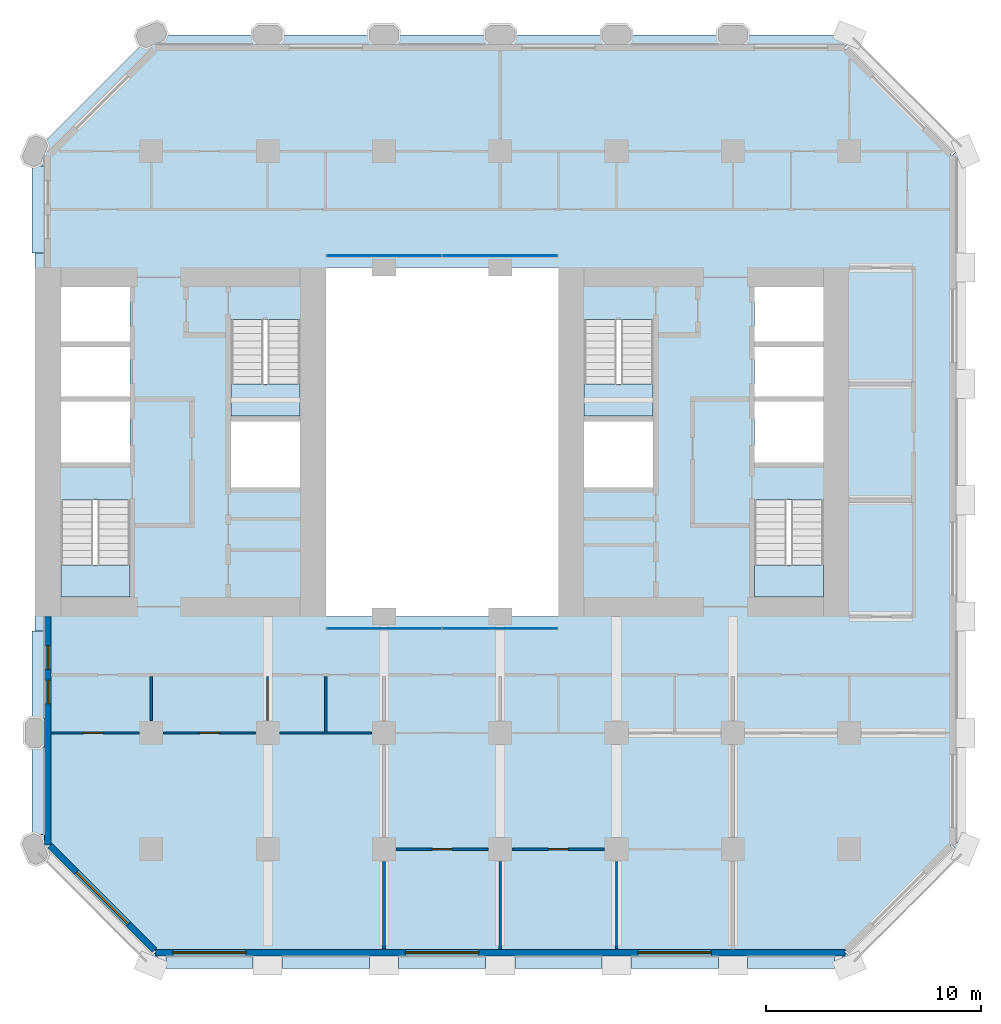
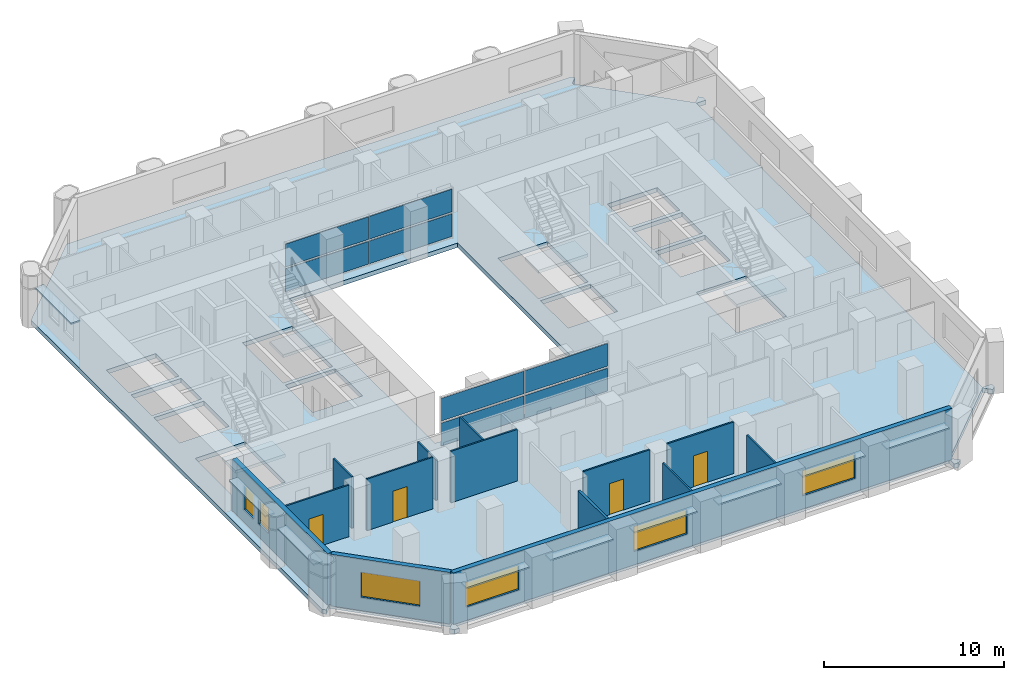
# One storey, part 7 of 13: 17 plates, 14 walls, 6 windows, 5 slabs, 4 doors, 10 openings, 6 elements without a shape of their own.
"""IFC4 building model written with IfcOpenShell, lengths in metres."""

from ifc_helpers import new_model, si_unit, direction, frame, frame_2d, origin, origin_2d, place, context, subcontext, project, spatial, polyline, rectangle, outline, extrude, material, layer, layer_set, type_object, element, fill, aggregate, save


model = new_model("IFC4")

# Units and contexts
model_context = context("Model", 3, precision=1e-05, world=origin(), true_north=direction((0.0, 1.0)))
body_context = subcontext(model_context, "Body", "Model", "MODEL_VIEW")
ifc_project = project(units=[si_unit("LENGTHUNIT", "METRE"), si_unit("AREAUNIT", "SQUARE_METRE"), si_unit("VOLUMEUNIT", "CUBIC_METRE"), si_unit("PLANEANGLEUNIT", "RADIAN"), si_unit("MASSUNIT", "GRAM", prefix="KILO")], contexts=[model_context])

# Site, building, storey
site_placement = place(None, origin())
site = spatial("IfcSite", under=ifc_project, at=site_placement, CompositionType="ELEMENT")
building_placement = place(site_placement, origin())
building = spatial("IfcBuilding", under=site, at=building_placement, Name="Tabaq Tower and Sports Hall", CompositionType="ELEMENT")
storey_placement = place(building_placement, frame((0.0, 0.0, 41.199951171875)))
storey = spatial("IfcBuildingStorey", under=building, at=storey_placement, Name="L08", CompositionType="ELEMENT", Elevation=41.199951171875)

# Curtain wall, plates
ifc_material_1 = material(Name="Aluminium alloy 6063-T6 framed glazing", Category="aluminium")
curtain_wall_type = type_object("IfcCurtainWallType", Name="CW1 curtain wall", PredefinedType="USERDEFINED", material=ifc_material_1)
curtain_wall_1_placement = place(storey_placement, origin())
curtain_wall_1 = element("IfcCurtainWall", 1, at=curtain_wall_1_placement, inside=storey, type_object=curtain_wall_type, Name="Atrium glazing L08 S", ObjectType="ATRIUM ENCLOSURE", PredefinedType="USERDEFINED")
ifc_material_2 = material(Name="Clear low-emissivity glass 28 mm", Category="glass")
ifc_layer_1 = layer(ifc_material_2, 0.028076171875)
ifc_layer_set_1 = layer_set([ifc_layer_1], Name="CW1 glass panel 28")
plate_type_1 = type_object("IfcPlateType", Name="CW1 glass panel 28", PredefinedType="CURTAIN_PANEL", material=ifc_layer_set_1)
plate_1_placement = place(storey_placement, frame((21.614990234375, 15.64990234375, 0.14013671875), z_axis=(0.0, 0.0, 1.0), x_axis=(1.0, 0.0, 0.0)))
plate_1 = element("IfcPlate", 2, at=plate_1_placement, type_object=plate_type_1, Name="CW1 panel 1.1", PredefinedType="CURTAIN_PANEL", context=body_context, shape_type="SweptSolid", body=[
    extrude(rectangle(XDim=5.31005859375, YDim=0.028076171875, at=origin_2d()), origin(), (0.0, 0.0, 1.0), 1.5400390625),
])
plate_2_placement = place(storey_placement, frame((21.614990234375, 15.64990234375, 1.820068359375), z_axis=(0.0, 0.0, 1.0), x_axis=(1.0, 0.0, 0.0)))
plate_2 = element("IfcPlate", 3, at=plate_2_placement, type_object=plate_type_1, Name="CW1 panel 1.2", PredefinedType="CURTAIN_PANEL", context=body_context, shape_type="SweptSolid", body=[
    extrude(rectangle(XDim=5.31005859375, YDim=0.028076171875, at=origin_2d()), origin(), (0.0, 0.0, 1.0), 1.5400390625),
])
plate_3_placement = place(storey_placement, frame((26.985107421875, 15.64990234375, 0.14013671875), z_axis=(0.0, 0.0, 1.0), x_axis=(1.0, 0.0, 0.0)))
plate_3 = element("IfcPlate", 4, at=plate_3_placement, type_object=plate_type_1, Name="CW1 panel 2.1", PredefinedType="CURTAIN_PANEL", context=body_context, shape_type="SweptSolid", body=[
    extrude(rectangle(XDim=5.31005859375, YDim=0.028076171875, at=origin_2d()), origin(), (0.0, 0.0, 1.0), 1.5400390625),
])
plate_4_placement = place(storey_placement, frame((26.985107421875, 15.64990234375, 1.820068359375), z_axis=(0.0, 0.0, 1.0), x_axis=(1.0, 0.0, 0.0)))
plate_4 = element("IfcPlate", 5, at=plate_4_placement, type_object=plate_type_1, Name="CW1 panel 2.2", PredefinedType="CURTAIN_PANEL", context=body_context, shape_type="SweptSolid", body=[
    extrude(rectangle(XDim=5.31005859375, YDim=0.028076171875, at=origin_2d()), origin(), (0.0, 0.0, 1.0), 1.5400390625),
])
aggregate(curtain_wall_1, [plate_1, plate_2, plate_3, plate_4])

curtain_wall_2_placement = place(storey_placement, origin())
curtain_wall_2 = element("IfcCurtainWall", 6, at=curtain_wall_2_placement, inside=storey, type_object=curtain_wall_type, Name="Atrium glazing L08 N", ObjectType="ATRIUM ENCLOSURE", PredefinedType="USERDEFINED")
plate_5_placement = place(storey_placement, frame((21.614990234375, 32.949951171875, 0.14013671875), z_axis=(0.0, 0.0, 1.0), x_axis=(1.0, 0.0, 0.0)))
plate_5 = element("IfcPlate", 7, at=plate_5_placement, type_object=plate_type_1, Name="CW1 panel 1.1", PredefinedType="CURTAIN_PANEL", context=body_context, shape_type="SweptSolid", body=[
    extrude(rectangle(XDim=5.31005859375, YDim=0.028076171875, at=origin_2d()), origin(), (0.0, 0.0, 1.0), 1.5400390625),
])
plate_6_placement = place(storey_placement, frame((21.614990234375, 32.949951171875, 1.820068359375), z_axis=(0.0, 0.0, 1.0), x_axis=(1.0, 0.0, 0.0)))
plate_6 = element("IfcPlate", 8, at=plate_6_placement, type_object=plate_type_1, Name="CW1 panel 1.2", PredefinedType="CURTAIN_PANEL", context=body_context, shape_type="SweptSolid", body=[
    extrude(rectangle(XDim=5.31005859375, YDim=0.028076171875, at=origin_2d()), origin(), (0.0, 0.0, 1.0), 1.5400390625),
])
plate_7_placement = place(storey_placement, frame((26.985107421875, 32.949951171875, 0.14013671875), z_axis=(0.0, 0.0, 1.0), x_axis=(1.0, 0.0, 0.0)))
plate_7 = element("IfcPlate", 9, at=plate_7_placement, type_object=plate_type_1, Name="CW1 panel 2.1", PredefinedType="CURTAIN_PANEL", context=body_context, shape_type="SweptSolid", body=[
    extrude(rectangle(XDim=5.31005859375, YDim=0.028076171875, at=origin_2d()), origin(), (0.0, 0.0, 1.0), 1.5400390625),
])
plate_8_placement = place(storey_placement, frame((26.985107421875, 32.949951171875, 1.820068359375), z_axis=(0.0, 0.0, 1.0), x_axis=(1.0, 0.0, 0.0)))
plate_8 = element("IfcPlate", 10, at=plate_8_placement, type_object=plate_type_1, Name="CW1 panel 2.2", PredefinedType="CURTAIN_PANEL", context=body_context, shape_type="SweptSolid", body=[
    extrude(rectangle(XDim=5.31005859375, YDim=0.028076171875, at=origin_2d()), origin(), (0.0, 0.0, 1.0), 1.5400390625),
])
aggregate(curtain_wall_2, [plate_5, plate_6, plate_7, plate_8])

# Stair, slab
ifc_material_3 = material(Name="Concrete C40/50", Category="concrete")
stair_type = type_object("IfcStairType", Name="Exit stair", PredefinedType="HALF_TURN_STAIR", material=ifc_material_3)
stair_1_placement = place(storey_placement, origin())
stair_1 = element("IfcStair", 11, at=stair_1_placement, inside=storey, type_object=stair_type, Name="L08 Exit stair ST1", PredefinedType="HALF_TURN_STAIR")
ifc_material_4 = material(Name="Concrete C40/50", Category="concrete")
ifc_layer_2 = layer(ifc_material_4, 0.199951171875)
ifc_layer_set_2 = layer_set([ifc_layer_2], Name="Exit stair landing")
slab_type_1 = type_object("IfcSlabType", Name="Exit stair landing", PredefinedType="LANDING", material=ifc_layer_set_2)
slab_1_placement = place(storey_placement, frame((0.0, 0.0, 1.699951171875)))
slab_1 = element("IfcSlab", 12, at=slab_1_placement, type_object=slab_type_1, Name="ST1 landing 1", PredefinedType="LANDING", context=body_context, shape_type="SweptSolid", body=[
    extrude(outline(polyline([(6.60009765625, 18.60009765625), (6.60009765625, 17.10009765625), (9.800048828125, 17.10009765625), (9.800048828125, 18.60009765625), (6.60009765625, 18.60009765625)])), origin(), (0.0, 0.0, 1.0), 0.2001953125),
])
aggregate(stair_1, [slab_1])

stair_2_placement = place(storey_placement, origin())
stair_2 = element("IfcStair", 13, at=stair_2_placement, inside=storey, type_object=stair_type, Name="L08 Exit stair ST2", PredefinedType="HALF_TURN_STAIR")
slab_2_placement = place(storey_placement, frame((0.0, 0.0, 1.699951171875)))
slab_2 = element("IfcSlab", 14, at=slab_2_placement, type_object=slab_type_1, Name="ST2 landing 1", PredefinedType="LANDING", context=body_context, shape_type="SweptSolid", body=[
    extrude(outline(polyline([(14.5, 27.0), (14.5, 25.5), (17.699951171875, 25.5), (17.699951171875, 27.0), (14.5, 27.0)])), origin(), (0.0, 0.0, 1.0), 0.2001953125),
])
aggregate(stair_2, [slab_2])

stair_3_placement = place(storey_placement, origin())
stair_3 = element("IfcStair", 15, at=stair_3_placement, inside=storey, type_object=stair_type, Name="L08 Exit stair ST3", PredefinedType="HALF_TURN_STAIR")
slab_3_placement = place(storey_placement, frame((0.0, 0.0, 1.699951171875)))
slab_3 = element("IfcSlab", 16, at=slab_3_placement, type_object=slab_type_1, Name="ST3 landing 1", PredefinedType="LANDING", context=body_context, shape_type="SweptSolid", body=[
    extrude(outline(polyline([(38.800048828125, 18.60009765625), (38.800048828125, 17.10009765625), (42.0, 17.10009765625), (42.0, 18.60009765625), (38.800048828125, 18.60009765625)])), origin(), (0.0, 0.0, 1.0), 0.2001953125),
])
aggregate(stair_3, [slab_3])

stair_4_placement = place(storey_placement, origin())
stair_4 = element("IfcStair", 17, at=stair_4_placement, inside=storey, type_object=stair_type, Name="L08 Exit stair ST4", PredefinedType="HALF_TURN_STAIR")
slab_4_placement = place(storey_placement, frame((0.0, 0.0, 1.699951171875)))
slab_4 = element("IfcSlab", 18, at=slab_4_placement, type_object=slab_type_1, Name="ST4 landing 1", PredefinedType="LANDING", context=body_context, shape_type="SweptSolid", body=[
    extrude(outline(polyline([(30.89990234375, 27.0), (30.89990234375, 25.5), (34.10009765625, 25.5), (34.10009765625, 27.0), (30.89990234375, 27.0)])), origin(), (0.0, 0.0, 1.0), 0.2001953125),
])
aggregate(stair_4, [slab_4])

# Slab
ifc_material_5 = material(Name="Concrete C40/50", Category="concrete")
ifc_layer_3 = layer(ifc_material_5, 0.300048828125)
ifc_layer_set_3 = layer_set([ifc_layer_3], Name="PT FLOOR SLAB 300 C40/50")
slab_type_2 = type_object("IfcSlabType", Name="PT FLOOR SLAB 300 C40/50", PredefinedType="FLOOR", material=ifc_layer_set_3)
slab_5_placement = place(storey_placement, frame((0.0, 0.0, -0.300048828125)))
element("IfcSlab", 19, at=slab_5_placement, inside=storey, type_object=slab_type_2, Name="Floor Slab L08", PredefinedType="FLOOR", context=body_context, shape_type="SweptSolid", body=[
    extrude(outline(polyline([(5.39990234375, 37.800048828125), (5.39990234375, 5.39990234375), (5.57666015625, 5.22314453125), (5.930419921875, 5.57666015625), (6.0009765625, 5.6474609375), (11.01318359375, 0.63525390625), (10.5888671875, 0.211181640625), (10.800048828125, 0.0), (11.0986328125, 0.0), (11.0986328125, 0.5), (11.0986328125, 0.60009765625), (42.9013671875, 0.60009765625), (42.9013671875, 0.5), (42.9013671875, 0.0), (43.199951171875, 0.0), (43.4111328125, 0.211181640625), (42.98681640625, 0.63525390625), (47.964599609375, 5.61328125), (48.035400390625, 5.54248046875), (48.388916015625, 5.18896484375), (48.60009765625, 5.39990234375), (48.60009765625, 5.698486328125), (48.10009765625, 5.698486328125), (48.0, 5.698486328125), (48.0, 37.50146484375), (48.10009765625, 37.50146484375), (48.60009765625, 37.50146484375), (48.60009765625, 37.800048828125), (48.388916015625, 38.010986328125), (48.035400390625, 37.657470703125), (47.964599609375, 37.5869140625), (42.952392578125, 42.598876953125), (43.023193359375, 42.669677734375), (43.376708984375, 43.023193359375), (43.199951171875, 43.199951171875), (10.800048828125, 43.199951171875), (5.39990234375, 37.800048828125)]), holes=[polyline([(6.60009765625, 21.599365234375), (9.800048828125, 21.599365234375), (9.800048828125, 17.10009765625), (6.60009765625, 17.10009765625), (6.60009765625, 21.599365234375)]), polyline([(17.699951171875, 25.25), (17.699951171875, 22.199951171875), (14.5, 22.199951171875), (14.5, 25.25), (17.699951171875, 25.25)]), polyline([(18.89990234375, 32.39990234375), (29.699951171875, 32.39990234375), (29.699951171875, 16.199951171875), (18.89990234375, 16.199951171875), (18.89990234375, 32.39990234375)]), polyline([(6.60009765625, 26.175048828125), (9.800048828125, 26.175048828125), (9.800048828125, 23.35009765625), (6.60009765625, 23.35009765625), (6.60009765625, 26.175048828125)]), polyline([(9.800048828125, 28.72509765625), (9.800048828125, 26.425048828125), (6.60009765625, 26.425048828125), (6.60009765625, 28.72509765625), (9.800048828125, 28.72509765625)]), polyline([(17.699951171875, 29.99951171875), (17.699951171875, 25.5), (14.5, 25.5), (14.5, 29.99951171875), (17.699951171875, 29.99951171875)]), polyline([(6.60009765625, 31.5), (9.800048828125, 31.5), (9.800048828125, 28.97509765625), (6.60009765625, 28.97509765625), (6.60009765625, 31.5)]), polyline([(42.0, 21.599365234375), (42.0, 17.10009765625), (38.800048828125, 17.10009765625), (38.800048828125, 21.599365234375), (42.0, 21.599365234375)]), polyline([(34.10009765625, 25.25), (34.10009765625, 22.199951171875), (30.89990234375, 22.199951171875), (30.89990234375, 25.25), (34.10009765625, 25.25)]), polyline([(42.0, 26.175048828125), (42.0, 23.35009765625), (38.800048828125, 23.35009765625), (38.800048828125, 26.175048828125), (42.0, 26.175048828125)]), polyline([(42.0, 28.72509765625), (42.0, 26.425048828125), (38.800048828125, 26.425048828125), (38.800048828125, 28.72509765625), (42.0, 28.72509765625)]), polyline([(34.10009765625, 29.99951171875), (34.10009765625, 25.5), (30.89990234375, 25.5), (30.89990234375, 29.99951171875), (34.10009765625, 29.99951171875)]), polyline([(42.0, 31.5), (42.0, 28.97509765625), (38.800048828125, 28.97509765625), (38.800048828125, 31.5), (42.0, 31.5)])]), origin(), (0.0, 0.0, 1.0), 0.300048828125),
])

# Plates
ifc_material_6 = material(Name="White precast concrete C60/75 blade", Category="concrete")
ifc_layer_4 = layer(ifc_material_6, 0.10009765625)
ifc_layer_set_4 = layer_set([ifc_layer_4], Name="White precast concrete C60/75 sunshade 100")
plate_type_2 = type_object("IfcPlateType", Name="White precast concrete C60/75 sunshade 100", PredefinedType="USERDEFINED", material=ifc_layer_set_4)
for number, where, z_axis, x_axis, name in (
    (20, (13.5, 0.14990234375, 2.60009765625), (0.0, 0.0, 1.0), (1.0, 0.0, 0.0), "Sunshade L08 S"),
    (21, (18.89990234375, 0.14990234375, 2.60009765625), (0.0, 0.0, 1.0), (1.0, 0.0, 0.0), "Sunshade L08 S"),
    (22, (24.300048828125, 0.14990234375, 2.60009765625), (0.0, 0.0, 1.0), (1.0, 0.0, 0.0), "Sunshade L08 S"),
    (23, (29.699951171875, 0.14990234375, 2.60009765625), (0.0, 0.0, 1.0), (1.0, 0.0, 0.0), "Sunshade L08 S"),
    (24, (35.10009765625, 0.14990234375, 2.60009765625), (0.0, 0.0, 1.0), (1.0, 0.0, 0.0), "Sunshade L08 S"),
    (25, (40.5, 0.14990234375, 2.60009765625), (0.0, 0.0, 1.0), (1.0, 0.0, 0.0), "Sunshade L08 S"),
    (26, (5.550048828125, 35.10009765625, 2.60009765625), (0.0, 0.0, 1.0), (0.0, -1.0, 0.0), "Sunshade L08 W"),
    (27, (5.550048828125, 13.5, 2.60009765625), (0.0, 0.0, 1.0), (0.0, -1.0, 0.0), "Sunshade L08 W"),
    (28, (5.550048828125, 8.10009765625, 2.60009765625), (0.0, 0.0, 1.0), (0.0, -1.0, 0.0), "Sunshade L08 W"),
):
    element("IfcPlate", number, at=place(storey_placement, frame(where, z_axis=z_axis, x_axis=x_axis)), inside=storey, type_object=plate_type_2, Name=name, ObjectType="SUNSHADE", PredefinedType="USERDEFINED", context=body_context, shape_type="SweptSolid", body=[
        extrude(rectangle(XDim=4.050048828125, YDim=0.60009765625, at=origin_2d()), origin(), (0.0, 0.0, 1.0), 0.10009765625),
    ])

# Wall, opening, door
ifc_material_7 = material(Name="Gypsum board on steel studs", Category="steel")
ifc_layer_5 = layer(ifc_material_7, 0.10009765625)
ifc_layer_set_5 = layer_set([ifc_layer_5], Name="Partition 100 Gypsum board")
wall_type_1 = type_object("IfcWallType", Name="Partition 100 Gypsum board", PredefinedType="PARTITIONING", material=ifc_layer_set_5)
wall_1_placement = place(storey_placement, frame((6.15087890625, 10.800048828125, 0.0), z_axis=(0.0, 0.0, 1.0), x_axis=(1.0, 0.0, 0.0)))
wall_1 = element("IfcWall", 29, at=wall_1_placement, inside=storey, type_object=wall_type_1, Name="Partition wall L08", PredefinedType="PARTITIONING", context=body_context, shape_type="SweptSolid", body=[
    extrude(rectangle(XDim=4.0791015625, YDim=0.10009765625, at=frame_2d((2.03955078125, 0.0))), origin(), (0.0, 0.0, 1.0), 3.5),
])
opening_1_placement = place(wall_1_placement, frame((1.4990234375, 0.0, 0.0)))
opening_1 = element("IfcOpeningElement", 30, at=opening_1_placement, cuts=wall_1, Name="Opening L08-028", PredefinedType="OPENING", context=body_context, shape_type="SweptSolid", body=[
    extrude(rectangle(XDim=0.89990234375, YDim=2.10009765625, at=frame_2d((0.449951171875, 1.050048828125))), frame((0.0, 0.050048828125, 0.0), z_axis=(0.0, -1.0, 0.0), x_axis=(1.0, 0.0, 0.0)), (0.0, 0.0, 1.0), 0.10009765625),
])
ifc_material_8 = material(Name="Timber leaf in steel frame", Category="steel")
door_type_1 = type_object("IfcDoorType", Name="Internal door 900 right hand", OperationType="SINGLE_SWING_RIGHT", PredefinedType="DOOR", material=ifc_material_8)
door_1_placement = place(opening_1_placement, origin())
door_1 = element("IfcDoor", 31, at=door_1_placement, inside=storey, type_object=door_type_1, Name="Internal door L08-028", OperationType="SINGLE_SWING_RIGHT", OverallHeight=2.10009765625, OverallWidth=0.89990234375, PredefinedType="DOOR", context=body_context, shape_type="SweptSolid", body=[
    extrude(rectangle(XDim=0.89990234375, YDim=2.10009765625, at=frame_2d((0.449951171875, 1.050048828125))), frame((0.0, 0.02490234375, 0.0), z_axis=(0.0, -1.0, 0.0), x_axis=(1.0, 0.0, 0.0)), (0.0, 0.0, 1.0), 0.050048828125),
])
fill(opening_1, door_1)

# Wall
wall_2_placement = place(storey_placement, frame((10.800048828125, 11.3701171875, 0.0), z_axis=(0.0, 0.0, 1.0), x_axis=(0.0, 1.0, 0.0)))
element("IfcWall", 32, at=wall_2_placement, inside=storey, type_object=wall_type_1, Name="Partition wall L08", PredefinedType="PARTITIONING", context=body_context, shape_type="SweptSolid", body=[
    extrude(rectangle(XDim=2.054931640625, YDim=0.10009765625, at=frame_2d((1.02734375, 0.0))), origin(), (0.0, 0.0, 1.0), 3.5),
])

# Wall, opening, door
wall_3_placement = place(storey_placement, frame((11.3701171875, 10.800048828125, 0.0), z_axis=(0.0, 0.0, 1.0), x_axis=(1.0, 0.0, 0.0)))
wall_3 = element("IfcWall", 33, at=wall_3_placement, inside=storey, type_object=wall_type_1, Name="Partition wall L08", PredefinedType="PARTITIONING", context=body_context, shape_type="SweptSolid", body=[
    extrude(rectangle(XDim=4.259765625, YDim=0.10009765625, at=frame_2d((2.1298828125, 0.0))), origin(), (0.0, 0.0, 1.0), 3.5),
])
opening_2_placement = place(wall_3_placement, frame((1.679931640625, 0.0, 0.0)))
opening_2 = element("IfcOpeningElement", 34, at=opening_2_placement, cuts=wall_3, Name="Opening L08-017", PredefinedType="OPENING", context=body_context, shape_type="SweptSolid", body=[
    extrude(rectangle(XDim=0.89990234375, YDim=2.10009765625, at=frame_2d((0.449951171875, 1.050048828125))), frame((0.0, 0.050048828125, 0.0), z_axis=(0.0, -1.0, 0.0), x_axis=(1.0, 0.0, 0.0)), (0.0, 0.0, 1.0), 0.10009765625),
])
ifc_material_9 = material(Name="Timber leaf in steel frame", Category="steel")
door_type_2 = type_object("IfcDoorType", Name="Internal door 900 left hand", OperationType="SINGLE_SWING_LEFT", PredefinedType="DOOR", material=ifc_material_9)
door_2_placement = place(opening_2_placement, origin())
door_2 = element("IfcDoor", 35, at=door_2_placement, inside=storey, type_object=door_type_2, Name="Internal door L08-017", OperationType="SINGLE_SWING_LEFT", OverallHeight=2.10009765625, OverallWidth=0.89990234375, PredefinedType="DOOR", context=body_context, shape_type="SweptSolid", body=[
    extrude(rectangle(XDim=0.89990234375, YDim=2.10009765625, at=frame_2d((0.449951171875, 1.050048828125))), frame((0.0, 0.02490234375, 0.0), z_axis=(0.0, -1.0, 0.0), x_axis=(1.0, 0.0, 0.0)), (0.0, 0.0, 1.0), 0.050048828125),
])
fill(opening_2, door_2)

# Walls
wall_4_placement = place(storey_placement, frame((16.199951171875, 11.3701171875, 0.0), z_axis=(0.0, 0.0, 1.0), x_axis=(0.0, 1.0, 0.0)))
element("IfcWall", 36, at=wall_4_placement, inside=storey, type_object=wall_type_1, Name="Partition wall L08", PredefinedType="PARTITIONING", context=body_context, shape_type="SweptSolid", body=[
    extrude(rectangle(XDim=2.054931640625, YDim=0.10009765625, at=frame_2d((1.02734375, 0.0))), origin(), (0.0, 0.0, 1.0), 2.75),
])
wall_5_placement = place(storey_placement, frame((18.89990234375, 10.85009765625, 0.0), z_axis=(0.0, 0.0, 1.0), x_axis=(0.0, 1.0, 0.0)))
element("IfcWall", 37, at=wall_5_placement, inside=storey, type_object=wall_type_1, Name="Partition wall L08", PredefinedType="PARTITIONING", context=body_context, shape_type="SweptSolid", body=[
    extrude(rectangle(XDim=2.574951171875, YDim=0.10009765625, at=frame_2d((1.28759765625, 0.0))), origin(), (0.0, 0.0, 1.0), 3.5),
])
wall_6_placement = place(storey_placement, frame((16.77001953125, 10.800048828125, 0.0), z_axis=(0.0, 0.0, 1.0), x_axis=(1.0, 0.0, 0.0)))
element("IfcWall", 38, at=wall_6_placement, inside=storey, type_object=wall_type_1, Name="Partition wall L08", PredefinedType="PARTITIONING", context=body_context, shape_type="SweptSolid", body=[
    extrude(rectangle(XDim=4.260009765625, YDim=0.10009765625, at=frame_2d((2.1298828125, 0.0))), origin(), (0.0, 0.0, 1.0), 3.5),
])

# Wall, opening, door
wall_7_placement = place(storey_placement, frame((22.169921875, 5.39990234375, 0.0), z_axis=(0.0, 0.0, 1.0), x_axis=(1.0, 0.0, 0.0)))
wall_7 = element("IfcWall", 39, at=wall_7_placement, inside=storey, type_object=wall_type_1, Name="Partition wall L08", PredefinedType="PARTITIONING", context=body_context, shape_type="SweptSolid", body=[
    extrude(rectangle(XDim=4.260009765625, YDim=0.10009765625, at=frame_2d((2.1298828125, 0.0))), origin(), (0.0, 0.0, 1.0), 3.5),
])
opening_3_placement = place(wall_7_placement, frame((1.679931640625, 0.0, 0.0)))
opening_3 = element("IfcOpeningElement", 40, at=opening_3_placement, cuts=wall_7, Name="Opening L08-019", PredefinedType="OPENING", context=body_context, shape_type="SweptSolid", body=[
    extrude(rectangle(XDim=0.89990234375, YDim=2.10009765625, at=frame_2d((0.449951171875, 1.050048828125))), frame((0.0, 0.050048828125, 0.0), z_axis=(0.0, -1.0, 0.0), x_axis=(1.0, 0.0, 0.0)), (0.0, 0.0, 1.0), 0.10009765625),
])
door_3_placement = place(opening_3_placement, origin())
door_3 = element("IfcDoor", 41, at=door_3_placement, inside=storey, type_object=door_type_2, Name="Internal door L08-019", OperationType="SINGLE_SWING_LEFT", OverallHeight=2.10009765625, OverallWidth=0.89990234375, PredefinedType="DOOR", context=body_context, shape_type="SweptSolid", body=[
    extrude(rectangle(XDim=0.89990234375, YDim=2.10009765625, at=frame_2d((0.449951171875, 1.050048828125))), frame((0.0, 0.02490234375, 0.0), z_axis=(0.0, -1.0, 0.0), x_axis=(1.0, 0.0, 0.0)), (0.0, 0.0, 1.0), 0.050048828125),
])
fill(opening_3, door_3)

wall_8_placement = place(storey_placement, frame((27.570068359375, 5.39990234375, 0.0), z_axis=(0.0, 0.0, 1.0), x_axis=(1.0, 0.0, 0.0)))
wall_8 = element("IfcWall", 42, at=wall_8_placement, inside=storey, type_object=wall_type_1, Name="Partition wall L08", PredefinedType="PARTITIONING", context=body_context, shape_type="SweptSolid", body=[
    extrude(rectangle(XDim=4.260009765625, YDim=0.10009765625, at=frame_2d((2.1298828125, 0.0))), origin(), (0.0, 0.0, 1.0), 3.5),
])
opening_4_placement = place(wall_8_placement, frame((1.679931640625, 0.0, 0.0)))
opening_4 = element("IfcOpeningElement", 43, at=opening_4_placement, cuts=wall_8, Name="Opening L08-020", PredefinedType="OPENING", context=body_context, shape_type="SweptSolid", body=[
    extrude(rectangle(XDim=0.89990234375, YDim=2.10009765625, at=frame_2d((0.449951171875, 1.050048828125))), frame((0.0, 0.050048828125, 0.0), z_axis=(0.0, -1.0, 0.0), x_axis=(1.0, 0.0, 0.0)), (0.0, 0.0, 1.0), 0.10009765625),
])
door_4_placement = place(opening_4_placement, origin())
door_4 = element("IfcDoor", 44, at=door_4_placement, inside=storey, type_object=door_type_2, Name="Internal door L08-020", OperationType="SINGLE_SWING_LEFT", OverallHeight=2.10009765625, OverallWidth=0.89990234375, PredefinedType="DOOR", context=body_context, shape_type="SweptSolid", body=[
    extrude(rectangle(XDim=0.89990234375, YDim=2.10009765625, at=frame_2d((0.449951171875, 1.050048828125))), frame((0.0, 0.02490234375, 0.0), z_axis=(0.0, -1.0, 0.0), x_axis=(1.0, 0.0, 0.0)), (0.0, 0.0, 1.0), 0.050048828125),
])
fill(opening_4, door_4)

# Walls
for number, where, z_axis, x_axis, name in (
    (45, (27.0, 0.7509765625, 0.0), (0.0, 0.0, 1.0), (0.0, 1.0, 0.0), "Partition wall L08"),
    (46, (32.39990234375, 0.7509765625, 0.0), (0.0, 0.0, 1.0), (0.0, 1.0, 0.0), "Partition wall L08"),
):
    element("IfcWall", number, at=place(storey_placement, frame(where, z_axis=z_axis, x_axis=x_axis)), inside=storey, type_object=wall_type_1, Name=name, PredefinedType="PARTITIONING", context=body_context, shape_type="SweptSolid", body=[
        extrude(rectangle(XDim=4.0791015625, YDim=0.10009765625, at=frame_2d((2.03955078125, 0.0))), origin(), (0.0, 0.0, 1.0), 2.75),
    ])
ifc_material_10 = material(Name="Blockwork", Category="masonry")
ifc_layer_6 = layer(ifc_material_10, 0.14990234375)
ifc_layer_set_6 = layer_set([ifc_layer_6], Name="Separating wall 150 Blockwork")
wall_type_2 = type_object("IfcWallType", Name="Separating wall 150 Blockwork", PredefinedType="PARTITIONING", material=ifc_layer_set_6)
wall_9_placement = place(storey_placement, frame((21.60009765625, 0.7509765625, 0.0), z_axis=(0.0, 0.0, 1.0), x_axis=(0.0, 1.0, 0.0)))
element("IfcWall", 47, at=wall_9_placement, inside=storey, type_object=wall_type_2, Name="Separating wall L08", PredefinedType="PARTITIONING", context=body_context, shape_type="SweptSolid", body=[
    extrude(rectangle(XDim=4.0791015625, YDim=0.14990234375, at=frame_2d((2.03955078125, 0.0))), origin(), (0.0, 0.0, 1.0), 2.75),
])

# Wall, openings, windows
ifc_material_11 = material(Name="White precast concrete C60/75", Category="concrete")
ifc_layer_7 = layer(ifc_material_11, 0.300048828125)
ifc_layer_set_7 = layer_set([ifc_layer_7], Name="White precast concrete C60/75 external wall 300")
wall_type_3 = type_object("IfcWallType", Name="White precast concrete C60/75 external wall 300", PredefinedType="SOLIDWALL", material=ifc_layer_set_7)
wall_10_placement = place(storey_placement, frame((10.986328125, 0.60009765625, 0.0), z_axis=(0.0, 0.0, 1.0), x_axis=(1.0, 0.0, 0.0)))
wall_10 = element("IfcWall", 48, at=wall_10_placement, inside=storey, type_object=wall_type_3, Name="External Wall L08 S", PredefinedType="SOLIDWALL", context=body_context, shape_type="SweptSolid", body=[
    extrude(rectangle(XDim=32.02734375, YDim=0.300048828125, at=frame_2d((16.013671875, 0.0))), origin(), (0.0, 0.0, 1.0), 3.5),
])
opening_5_placement = place(wall_10_placement, frame((0.813720703125, 0.0, 0.89990234375)))
opening_5 = element("IfcOpeningElement", 49, at=opening_5_placement, cuts=wall_10, Name="Opening W1A", PredefinedType="OPENING", context=body_context, shape_type="SweptSolid", body=[
    extrude(rectangle(XDim=3.39990234375, YDim=1.699951171875, at=frame_2d((1.699951171875, 0.85009765625))), frame((0.0, 0.16015625, 0.0), z_axis=(0.0, -1.0, 0.0), x_axis=(1.0, 0.0, 0.0)), (0.0, 0.0, 1.0), 0.320068359375),
])
opening_6_placement = place(wall_10_placement, frame((11.613525390625, 0.0, 0.89990234375)))
opening_6 = element("IfcOpeningElement", 50, at=opening_6_placement, cuts=wall_10, Name="Opening W1A", PredefinedType="OPENING", context=body_context, shape_type="SweptSolid", body=[
    extrude(rectangle(XDim=3.39990234375, YDim=1.699951171875, at=frame_2d((1.699951171875, 0.85009765625))), frame((0.0, 0.16015625, 0.0), z_axis=(0.0, -1.0, 0.0), x_axis=(1.0, 0.0, 0.0)), (0.0, 0.0, 1.0), 0.320068359375),
])
opening_7_placement = place(wall_10_placement, frame((22.41357421875, 0.0, 0.89990234375)))
opening_7 = element("IfcOpeningElement", 51, at=opening_7_placement, cuts=wall_10, Name="Opening W1A", PredefinedType="OPENING", context=body_context, shape_type="SweptSolid", body=[
    extrude(rectangle(XDim=3.39990234375, YDim=1.699951171875, at=frame_2d((1.699951171875, 0.85009765625))), frame((0.0, 0.16015625, 0.0), z_axis=(0.0, -1.0, 0.0), x_axis=(1.0, 0.0, 0.0)), (0.0, 0.0, 1.0), 0.320068359375),
])
ifc_material_12 = material(Name="Aluminium framed clear glazing", Category="aluminium")
window_type_1 = type_object("IfcWindowType", Name="Window W1A", PartitioningType="SINGLE_PANEL", PredefinedType="WINDOW", material=ifc_material_12)
window_1_placement = place(opening_5_placement, origin())
window_1 = element("IfcWindow", 52, at=window_1_placement, inside=storey, type_object=window_type_1, Name="Window W1A L08", OverallHeight=1.699951171875, OverallWidth=3.39990234375, PartitioningType="SINGLE_PANEL", PredefinedType="WINDOW", context=body_context, shape_type="SweptSolid", body=[
    extrude(rectangle(XDim=3.39990234375, YDim=1.699951171875, at=frame_2d((1.699951171875, 0.85009765625))), frame((0.0, 0.030029296875, 0.0), z_axis=(0.0, -1.0, 0.0), x_axis=(1.0, 0.0, 0.0)), (0.0, 0.0, 1.0), 0.06005859375),
])
fill(opening_5, window_1)
window_2_placement = place(opening_6_placement, origin())
window_2 = element("IfcWindow", 53, at=window_2_placement, inside=storey, type_object=window_type_1, Name="Window W1A L08", OverallHeight=1.699951171875, OverallWidth=3.39990234375, PartitioningType="SINGLE_PANEL", PredefinedType="WINDOW", context=body_context, shape_type="SweptSolid", body=[
    extrude(rectangle(XDim=3.39990234375, YDim=1.699951171875, at=frame_2d((1.699951171875, 0.85009765625))), frame((0.0, 0.030029296875, 0.0), z_axis=(0.0, -1.0, 0.0), x_axis=(1.0, 0.0, 0.0)), (0.0, 0.0, 1.0), 0.06005859375),
])
fill(opening_6, window_2)
window_3_placement = place(opening_7_placement, origin())
window_3 = element("IfcWindow", 54, at=window_3_placement, inside=storey, type_object=window_type_1, Name="Window W1A L08", OverallHeight=1.699951171875, OverallWidth=3.39990234375, PartitioningType="SINGLE_PANEL", PredefinedType="WINDOW", context=body_context, shape_type="SweptSolid", body=[
    extrude(rectangle(XDim=3.39990234375, YDim=1.699951171875, at=frame_2d((1.699951171875, 0.85009765625))), frame((0.0, 0.030029296875, 0.0), z_axis=(0.0, -1.0, 0.0), x_axis=(1.0, 0.0, 0.0)), (0.0, 0.0, 1.0), 0.06005859375),
])
fill(opening_7, window_3)

wall_11_placement = place(storey_placement, frame((6.0, 16.199951171875, 0.0), z_axis=(0.0, 0.0, 1.0), x_axis=(0.0, -1.0, 0.0)))
wall_11 = element("IfcWall", 55, at=wall_11_placement, inside=storey, type_object=wall_type_3, Name="External Wall L08 W", PredefinedType="SOLIDWALL", context=body_context, shape_type="SweptSolid", body=[
    extrude(rectangle(XDim=10.613525390625, YDim=0.300048828125, at=frame_2d((5.306640625, 0.0))), origin(), (0.0, 0.0, 1.0), 3.5),
])
opening_8_placement = place(wall_11_placement, frame((1.35009765625, 0.0, 0.89990234375)))
opening_8 = element("IfcOpeningElement", 56, at=opening_8_placement, cuts=wall_11, Name="Opening W1B", PredefinedType="OPENING", context=body_context, shape_type="SweptSolid", body=[
    extrude(rectangle(XDim=1.10009765625, YDim=1.699951171875, at=frame_2d((0.550048828125, 0.85009765625))), frame((0.0, 0.16015625, 0.0), z_axis=(0.0, -1.0, 0.0), x_axis=(1.0, 0.0, 0.0)), (0.0, 0.0, 1.0), 0.320068359375),
])
opening_9_placement = place(wall_11_placement, frame((2.949951171875, 0.0, 0.89990234375)))
opening_9 = element("IfcOpeningElement", 57, at=opening_9_placement, cuts=wall_11, Name="Opening W1B", PredefinedType="OPENING", context=body_context, shape_type="SweptSolid", body=[
    extrude(rectangle(XDim=1.10009765625, YDim=1.699951171875, at=frame_2d((0.550048828125, 0.85009765625))), frame((0.0, 0.16015625, 0.0), z_axis=(0.0, -1.0, 0.0), x_axis=(1.0, 0.0, 0.0)), (0.0, 0.0, 1.0), 0.320068359375),
])
ifc_material_13 = material(Name="Aluminium framed clear glazing", Category="aluminium")
window_type_2 = type_object("IfcWindowType", Name="Window W1B", PartitioningType="SINGLE_PANEL", PredefinedType="WINDOW", material=ifc_material_13)
window_4_placement = place(opening_8_placement, origin())
window_4 = element("IfcWindow", 58, at=window_4_placement, inside=storey, type_object=window_type_2, Name="Window W1B L08", OverallHeight=1.699951171875, OverallWidth=1.10009765625, PartitioningType="SINGLE_PANEL", PredefinedType="WINDOW", context=body_context, shape_type="SweptSolid", body=[
    extrude(rectangle(XDim=1.10009765625, YDim=1.699951171875, at=frame_2d((0.550048828125, 0.85009765625))), frame((0.0, 0.030029296875, 0.0), z_axis=(0.0, -1.0, 0.0), x_axis=(1.0, 0.0, 0.0)), (0.0, 0.0, 1.0), 0.06005859375),
])
fill(opening_8, window_4)
window_5_placement = place(opening_9_placement, origin())
window_5 = element("IfcWindow", 59, at=window_5_placement, inside=storey, type_object=window_type_2, Name="Window W1B L08", OverallHeight=1.699951171875, OverallWidth=1.10009765625, PartitioningType="SINGLE_PANEL", PredefinedType="WINDOW", context=body_context, shape_type="SweptSolid", body=[
    extrude(rectangle(XDim=1.10009765625, YDim=1.699951171875, at=frame_2d((0.550048828125, 0.85009765625))), frame((0.0, 0.030029296875, 0.0), z_axis=(0.0, -1.0, 0.0), x_axis=(1.0, 0.0, 0.0)), (0.0, 0.0, 1.0), 0.06005859375),
])
fill(opening_9, window_5)

# Wall, opening, window
wall_12_placement = place(storey_placement, frame((6.098876953125, 5.549560546875, 0.0), z_axis=(0.0, 0.0, 1.0), x_axis=(0.707106781187, -0.707106781187, 0.0)))
wall_12 = element("IfcWall", 60, at=wall_12_placement, inside=storey, type_object=wall_type_3, Name="External Wall L08 SW", PredefinedType="SOLIDWALL", context=body_context, shape_type="SweptSolid", body=[
    extrude(rectangle(XDim=6.85986328125, YDim=0.300048828125, at=frame_2d((3.429931640625, 0.0))), origin(), (0.0, 0.0, 1.0), 3.5),
])
opening_10_placement = place(wall_12_placement, frame((1.729736328125, 0.0, 0.89990234375)))
opening_10 = element("IfcOpeningElement", 61, at=opening_10_placement, cuts=wall_12, Name="Opening W1A", PredefinedType="OPENING", context=body_context, shape_type="SweptSolid", body=[
    extrude(rectangle(XDim=3.39990234375, YDim=1.699951171875, at=frame_2d((1.699951171875, 0.85009765625))), frame((0.0, 0.16015625, 0.0), z_axis=(0.0, -1.0, 0.0), x_axis=(1.0, 0.0, 0.0)), (0.0, 0.0, 1.0), 0.320068359375),
])
window_6_placement = place(opening_10_placement, origin())
window_6 = element("IfcWindow", 62, at=window_6_placement, inside=storey, type_object=window_type_1, Name="Window W1A L08", OverallHeight=1.699951171875, OverallWidth=3.39990234375, PartitioningType="SINGLE_PANEL", PredefinedType="WINDOW", context=body_context, shape_type="SweptSolid", body=[
    extrude(rectangle(XDim=3.39990234375, YDim=1.699951171875, at=frame_2d((1.699951171875, 0.85009765625))), frame((0.0, 0.030029296875, 0.0), z_axis=(0.0, -1.0, 0.0), x_axis=(1.0, 0.0, 0.0)), (0.0, 0.0, 1.0), 0.06005859375),
])
fill(opening_10, window_6)

save(model, "model.ifc")
